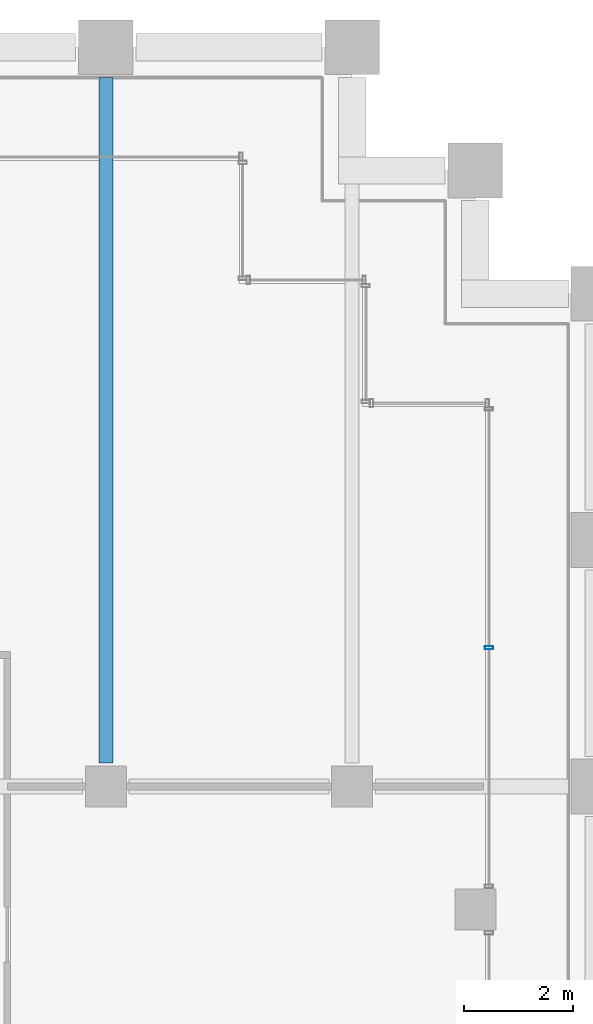
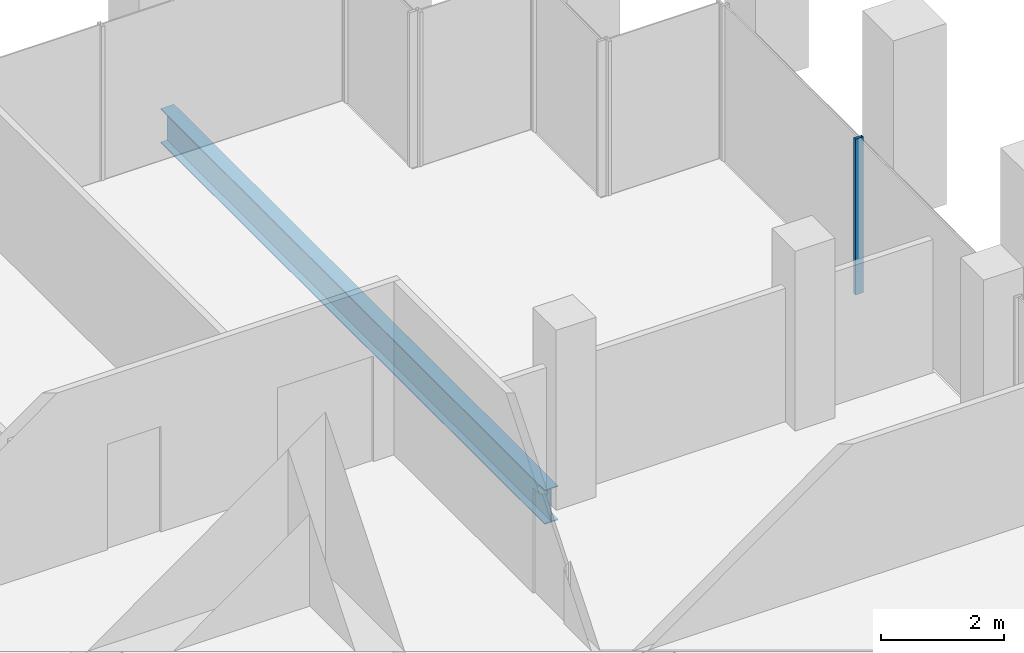
# One storey, part 26 of 52: 1 beam, 1 member, 1 element without a shape of its own.
"""IFC4 building model written with IfcOpenShell, lengths in metres."""

from ifc_helpers import new_model, si_unit, direction, frame, origin, origin_2d, place, context, subcontext, project, spatial, hollow_rectangle, i_section, extrude, material, material_profile, profile_set, type_object, element, aggregate, save


model = new_model("IFC4")

# Units and contexts
model_context = context("Model", 3, precision=1e-05, world=origin(), true_north=direction((0.0, 1.0)))
body_context = subcontext(model_context, "Body", "Model", "MODEL_VIEW")
ifc_project = project(units=[si_unit("LENGTHUNIT", "METRE"), si_unit("AREAUNIT", "SQUARE_METRE"), si_unit("VOLUMEUNIT", "CUBIC_METRE"), si_unit("PLANEANGLEUNIT", "RADIAN"), si_unit("MASSUNIT", "GRAM", prefix="KILO")], contexts=[model_context])

# Site, building, storey
site_placement = place(None, origin())
site = spatial("IfcSite", under=ifc_project, at=site_placement, CompositionType="ELEMENT")
building_placement = place(site_placement, origin())
building = spatial("IfcBuilding", under=site, at=building_placement, Name="Altepetl Exchange Towers", CompositionType="ELEMENT")
storey_placement = place(building_placement, frame((0.0, 0.0, 92.0)))
storey = spatial("IfcBuildingStorey", under=building, at=storey_placement, Name="L22", CompositionType="ELEMENT", Elevation=92.0)

# Beam
ifc_material_1 = material(Name="Steel S355", Category="steel")
ifc_material_profile_1 = material_profile(ifc_material_1, i_section(OverallWidth=0.25390625, OverallDepth=0.68408203125, WebThickness=0.012451171875, FlangeThickness=0.018798828125, at=origin_2d()), Name="W27X94")
ifc_profile_set_1 = profile_set([ifc_material_profile_1], Name="Steel S355")
beam_type = type_object("IfcBeamType", Name="Floor beam W27X94", PredefinedType="BEAM", material=ifc_profile_set_1)
beam_placement = place(storey_placement, frame((63.0, 58.925048828125, -0.491943359375), z_axis=(0.0, 1.0, 0.0), x_axis=(-1.0, 0.0, 0.0)))
element("IfcBeam", 1, at=beam_placement, inside=storey, type_object=beam_type, Name="bm:A:L22:004", PredefinedType="BEAM", context=body_context, shape_type="SweptSolid", body=[
    extrude(i_section(OverallWidth=0.25390625, OverallDepth=0.68408203125, WebThickness=0.012451171875, FlangeThickness=0.018798828125, at=origin_2d()), origin(), (0.0, 0.0, 1.0), 12.52490234375),
])

# Curtain wall, member
ifc_material_2 = material(Name="Aluminium 6063-T6 glazing", Category="aluminium")
curtain_wall_type = type_object("IfcCurtainWallType", Name="Loggia glazing system", PredefinedType="NOTDEFINED", material=ifc_material_2)
curtain_wall_placement = place(storey_placement, origin())
curtain_wall = element("IfcCurtainWall", 2, at=curtain_wall_placement, inside=storey, type_object=curtain_wall_type, Name="CW1 run", PredefinedType="NOTDEFINED")
ifc_material_3 = material(Name="Aluminium 6063-T6", Category="aluminium")
ifc_material_profile_2 = material_profile(ifc_material_3, hollow_rectangle(XDim=0.06005859375, YDim=0.14990234375, WallThickness=0.0029296875, at=origin_2d()), Name="Mullion 60x150 aluminium")
ifc_profile_set_2 = profile_set([ifc_material_profile_2], Name="Aluminium 6063-T6")
member_type = type_object("IfcMemberType", Name="Mullion 60x150 aluminium", PredefinedType="MULLION", material=ifc_profile_set_2)
member_placement = place(storey_placement, frame((70.0, 61.034912109375, 0.0), z_axis=(0.0, 0.0, 1.0), x_axis=(0.0, 1.0, 0.0)))
member = element("IfcMember", 3, at=member_placement, type_object=member_type, Name="MU1 mullion", PredefinedType="MULLION", context=body_context, shape_type="SweptSolid", body=[
    extrude(hollow_rectangle(XDim=0.06005859375, YDim=0.14990234375, WallThickness=0.0029296875, at=origin_2d()), origin(), (0.0, 0.0, 1.0), 3.10009765625),
])
aggregate(curtain_wall, [member])

save(model, "model.ifc")
